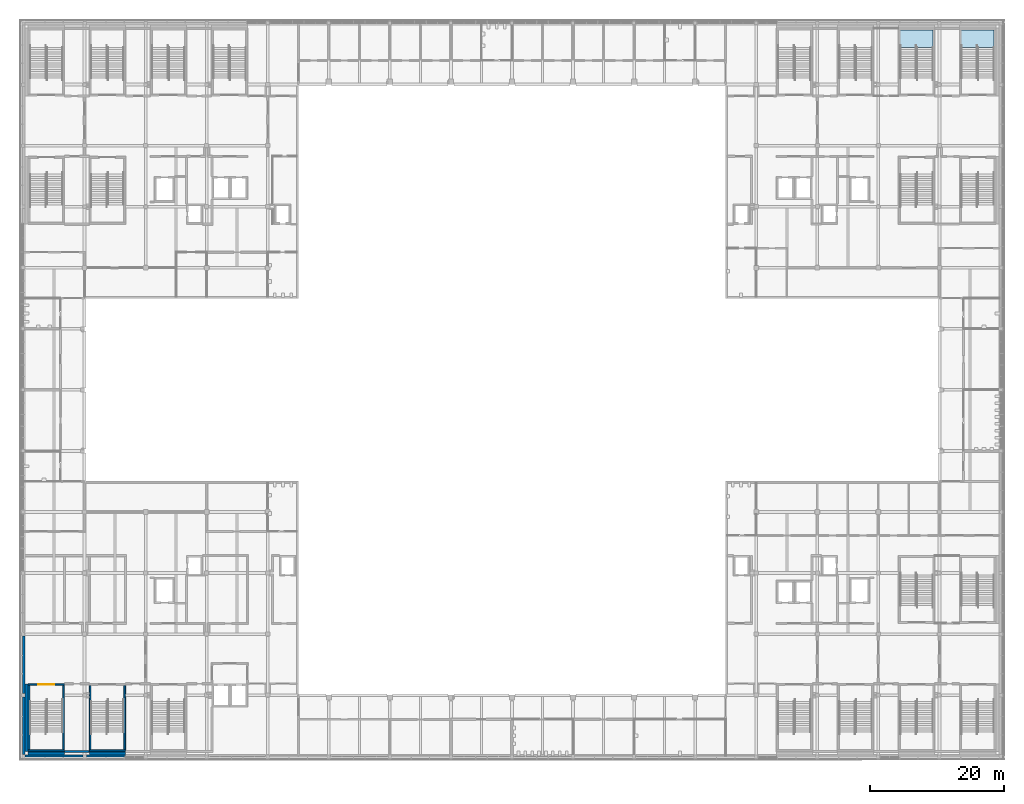
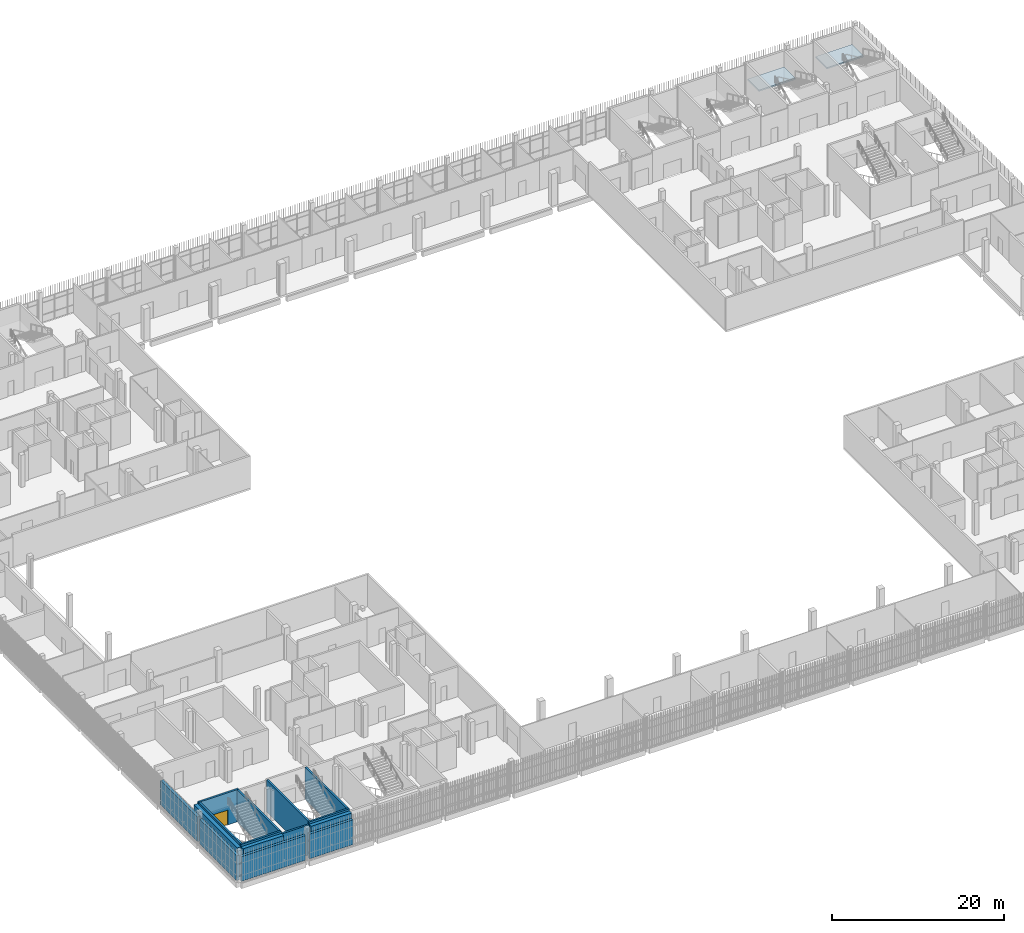
# One storey, part 65 of 124: 15 walls, 2 slabs, 1 door, 1 opening, 2 elements without a shape of their own.
"""IFC4 building model written with IfcOpenShell, lengths in metres."""

from ifc_helpers import new_model, si_unit, direction, frame, frame_2d, origin, place, context, subcontext, project, spatial, polyline, rectangle, outline, extrude, material, layer, layer_set, type_object, element, fill, aggregate, save


model = new_model("IFC4")

# Units and contexts
model_context = context("Model", 3, precision=1e-05, world=origin(), true_north=direction((0.0, 1.0)))
body_context = subcontext(model_context, "Body", "Model", "MODEL_VIEW")
ifc_project = project(units=[si_unit("LENGTHUNIT", "METRE"), si_unit("AREAUNIT", "SQUARE_METRE"), si_unit("VOLUMEUNIT", "CUBIC_METRE"), si_unit("PLANEANGLEUNIT", "RADIAN"), si_unit("MASSUNIT", "GRAM", prefix="KILO")], contexts=[model_context])

# Site, building, storey
site_placement = place(None, origin())
site = spatial("IfcSite", under=ifc_project, at=site_placement, CompositionType="ELEMENT")
building_placement = place(site_placement, origin())
building = spatial("IfcBuilding", under=site, at=building_placement, Name="Shirokan Park Arena", CompositionType="ELEMENT")
storey_placement = place(building_placement, frame((0.0, 0.0, 20.02001953125)))
storey = spatial("IfcBuildingStorey", under=building, at=storey_placement, Name="L04", CompositionType="ELEMENT", Elevation=20.02001953125)

# Stair, slab
ifc_material_1 = material(Name="Concrete C30 precast", Category="concrete")
stair_type = type_object("IfcStairType", Name="Stair 30 risers 152 x 327 2400 wide", PredefinedType="TWO_STRAIGHT_RUN_STAIR", material=ifc_material_1)
stair_1_placement = place(storey_placement, origin())
stair_1 = element("IfcStair", 1, at=stair_1_placement, inside=storey, type_object=stair_type, Name="Exit Stair 3.A L04 to L05", PredefinedType="TWO_STRAIGHT_RUN_STAIR")
ifc_layer_1 = layer(ifc_material_1, 0.199951171875)
ifc_layer_set_1 = layer_set([ifc_layer_1], Name="Concrete C30 precast 200 mm")
slab_type = type_object("IfcSlabType", Name="Stair landing 200", PredefinedType="LANDING", material=ifc_layer_set_1)
slab_1_placement = place(storey_placement, frame((0.0, 0.0, 2.074951171875)))
slab_1 = element("IfcSlab", 2, at=slab_1_placement, type_object=slab_type, Name="ST16.5 landing 1", PredefinedType="LANDING", context=body_context, shape_type="SweptSolid", body=[
    extrude(outline(polyline([(139.75, 105.623779296875), (144.64990234375, 105.623779296875), (144.64990234375, 108.25), (139.75, 108.25), (139.75, 105.623779296875)])), origin(), (0.0, 0.0, 1.0), 0.199951171875),
])
aggregate(stair_1, [slab_1])

stair_2_placement = place(storey_placement, origin())
stair_2 = element("IfcStair", 3, at=stair_2_placement, inside=storey, type_object=stair_type, Name="Exit Stair 3.B L04 to L05", PredefinedType="TWO_STRAIGHT_RUN_STAIR")
slab_2_placement = place(storey_placement, frame((0.0, 0.0, 2.074951171875)))
slab_2 = element("IfcSlab", 4, at=slab_2_placement, type_object=slab_type, Name="ST17.5 landing 1", PredefinedType="LANDING", context=body_context, shape_type="SweptSolid", body=[
    extrude(outline(polyline([(130.64990234375, 105.623779296875), (135.550048828125, 105.623779296875), (135.550048828125, 108.25), (130.64990234375, 108.25), (130.64990234375, 105.623779296875)])), origin(), (0.0, 0.0, 1.0), 0.199951171875),
])
aggregate(stair_2, [slab_2])

# Walls
ifc_material_2 = material(Name="Plaster")
ifc_layer_2 = layer(ifc_material_2, 0.014892578125, Name="Plaster")
ifc_material_3 = material(Name="Concrete blockwork", Category="masonry")
ifc_layer_3 = layer(ifc_material_3, 0.219970703125, Name="Concrete blockwork 220")
ifc_layer_4 = layer(ifc_material_2, 0.014892578125, Name="Plaster")
ifc_layer_set_2 = layer_set([ifc_layer_2, ifc_layer_3, ifc_layer_4], Name="Plaster + Concrete blockwork 220")
wall_type_1 = type_object("IfcWallType", Name="Compartment wall 250", PredefinedType="SOLIDWALL", material=ifc_layer_set_2)
wall_1_placement = place(storey_placement, frame((9.77001953125, 0.699951171875, 0.0), z_axis=(0.0, 0.0, 1.0), x_axis=(-1.0, 0.0, 0.0)))
element("IfcWall", 5, at=wall_1_placement, inside=storey, type_object=wall_type_1, Name="Compartment wall 250 L04", PredefinedType="SOLIDWALL", context=body_context, shape_type="SweptSolid", body=[
    extrude(rectangle(XDim=3.64013671875, YDim=0.25, at=frame_2d((1.820068359375, 0.0))), origin(), (0.0, 0.0, 1.0), 4.25),
])
ifc_material_4 = material(Name="Cedar cladding")
ifc_layer_5 = layer(ifc_material_4, 0.030029296875, Name="Cedar cladding")
ifc_material_5 = material(Name="Mineral wool insulation")
ifc_layer_6 = layer(ifc_material_5, 0.10009765625, Name="Mineral wool insulation")
ifc_material_6 = material(Name="Concrete C35", Category="concrete")
ifc_layer_7 = layer(ifc_material_6, 0.199951171875, Name="Concrete C35")
ifc_material_7 = material(Name="Gypsum board lining")
ifc_layer_8 = layer(ifc_material_7, 0.02001953125, Name="Gypsum board lining")
ifc_layer_set_3 = layer_set([ifc_layer_5, ifc_layer_6, ifc_layer_7, ifc_layer_8], Name="Cedar cladding + Mineral wool insulation + Concrete C35 + Gypsum board lining")
wall_type_2 = type_object("IfcWallType", Name="Insulated tower wall 350", PredefinedType="SOLIDWALL", material=ifc_layer_set_3)
wall_2_placement = place(storey_placement, frame((0.25, 0.02490234375, 0.0), z_axis=(0.0, 0.0, 1.0), x_axis=(1.0, 0.0, 0.0)))
element("IfcWall", 6, at=wall_2_placement, inside=storey, type_object=wall_type_2, Name="South facade wall bay 1 L04", PredefinedType="SOLIDWALL", context=body_context, shape_type="SweptSolid", body=[
    extrude(rectangle(XDim=8.60009765625, YDim=0.35009765625, at=frame_2d((4.300048828125, 0.0))), origin(), (0.0, 0.0, 1.0), 3.5),
])
wall_3_placement = place(storey_placement, frame((9.35009765625, 0.02490234375, 0.0), z_axis=(0.0, 0.0, 1.0), x_axis=(1.0, 0.0, 0.0)))
element("IfcWall", 7, at=wall_3_placement, inside=storey, type_object=wall_type_2, Name="South facade wall bay 2 L04", PredefinedType="SOLIDWALL", context=body_context, shape_type="SweptSolid", body=[
    extrude(rectangle(XDim=5.849853515625, YDim=0.35009765625, at=frame_2d((2.9248046875, 0.0))), origin(), (0.0, 0.0, 1.0), 3.5),
])
wall_4_placement = place(storey_placement, frame((0.02490234375, 17.925048828125, 0.0), z_axis=(0.0, 0.0, 1.0), x_axis=(0.0, -1.0, 0.0)))
element("IfcWall", 8, at=wall_4_placement, inside=storey, type_object=wall_type_2, Name="West facade wall bay 11 L04", PredefinedType="SOLIDWALL", context=body_context, shape_type="SweptSolid", body=[
    extrude(rectangle(XDim=8.574951171875, YDim=0.35009765625, at=frame_2d((4.28759765625, 0.0))), origin(), (0.0, 0.0, 1.0), 3.5),
])
wall_5_placement = place(storey_placement, frame((0.02490234375, 8.85009765625, 0.0), z_axis=(0.0, 0.0, 1.0), x_axis=(0.0, -1.0, 0.0)))
element("IfcWall", 9, at=wall_5_placement, inside=storey, type_object=wall_type_2, Name="West facade wall bay 12 L04", PredefinedType="SOLIDWALL", context=body_context, shape_type="SweptSolid", body=[
    extrude(rectangle(XDim=8.60009765625, YDim=0.35009765625, at=frame_2d((4.300048828125, 0.0))), origin(), (0.0, 0.0, 1.0), 3.5),
])
ifc_material_8 = material(Name="Concrete C40/50", Category="concrete")
ifc_layer_9 = layer(ifc_material_8, 0.25)
ifc_layer_set_4 = layer_set([ifc_layer_9], Name="Concrete C40/50 250 mm")
wall_type_3 = type_object("IfcWallType", Name="RC shear wall 250", PredefinedType="SHEAR", material=ifc_layer_set_4)
wall_6_placement = place(storey_placement, frame((6.10009765625, 0.824951171875, 0.0), z_axis=(0.0, 0.0, 1.0), x_axis=(-1.0, 0.0, 0.0)))
element("IfcWall", 10, at=wall_6_placement, inside=storey, type_object=wall_type_3, Name="Shaft wall Exit Stair 1.A S L04", PredefinedType="SHEAR", context=body_context, shape_type="SweptSolid", body=[
    extrude(rectangle(XDim=5.400146484375, YDim=0.25, at=frame_2d((2.7001953125, 0.0))), origin(), (0.0, 0.0, 1.0), 4.550048828125),
])

# Wall, opening, door
wall_7_placement = place(storey_placement, frame((6.10009765625, 10.675048828125, 0.0), z_axis=(0.0, 0.0, 1.0), x_axis=(-1.0, 0.0, 0.0)))
wall_7 = element("IfcWall", 11, at=wall_7_placement, inside=storey, type_object=wall_type_3, Name="Shaft wall Exit Stair 1.A N L04", PredefinedType="SHEAR", context=body_context, shape_type="SweptSolid", body=[
    extrude(rectangle(XDim=5.400146484375, YDim=0.25, at=frame_2d((2.7001953125, 0.0))), origin(), (0.0, 0.0, 1.0), 4.550048828125),
])
opening_placement = place(wall_7_placement, frame((1.5, 0.0, 0.0)))
opening = element("IfcOpeningElement", 12, at=opening_placement, cuts=wall_7, Name="Opening D-4127", PredefinedType="OPENING", context=body_context, shape_type="SweptSolid", body=[
    extrude(rectangle(XDim=2.39990234375, YDim=2.10009765625, at=frame_2d((1.199951171875, 1.050048828125))), frame((0.0, 0.135009765625, 0.0), z_axis=(0.0, -1.0, 0.0), x_axis=(1.0, 0.0, 0.0)), (0.0, 0.0, 1.0), 0.27001953125),
])
ifc_material_9 = material(Name="Steel door set, fire resisting", Category="steel")
door_type = type_object("IfcDoorType", Name="Stair door 2400 x 2100", OperationType="DOUBLE_DOOR_SINGLE_SWING", PredefinedType="DOOR", material=ifc_material_9)
door_placement = place(opening_placement, origin())
door = element("IfcDoor", 13, at=door_placement, inside=storey, type_object=door_type, Name="Stair door Exit Stair 1.A D-4127", OperationType="DOUBLE_DOOR_SINGLE_SWING", OverallHeight=2.10009765625, OverallWidth=2.39990234375, PredefinedType="DOOR", context=body_context, shape_type="SweptSolid", body=[
    extrude(rectangle(XDim=2.39990234375, YDim=2.10009765625, at=frame_2d((1.199951171875, 1.050048828125))), frame((0.0, 0.02490234375, 0.0), z_axis=(0.0, -1.0, 0.0), x_axis=(1.0, 0.0, 0.0)), (0.0, 0.0, 1.0), 0.050048828125),
])
fill(opening, door)

# Walls
for number, where, z_axis, x_axis, name in (
    (14, (0.824951171875, 10.550048828125, 0.0), (0.0, 0.0, 1.0), (0.0, -1.0, 0.0), "Shaft wall Exit Stair 1.A W L04"),
    (15, (5.97509765625, 10.550048828125, 0.0), (0.0, 0.0, 1.0), (0.0, -1.0, 0.0), "Shaft wall Exit Stair 1.A E L04"),
):
    element("IfcWall", number, at=place(storey_placement, frame(where, z_axis=z_axis, x_axis=x_axis)), inside=storey, type_object=wall_type_3, Name=name, PredefinedType="SHEAR", context=body_context, shape_type="SweptSolid", body=[
        extrude(rectangle(XDim=9.60009765625, YDim=0.25, at=frame_2d((4.800048828125, 0.0))), origin(), (0.0, 0.0, 1.0), 4.550048828125),
    ])
wall_8_placement = place(storey_placement, frame((15.199951171875, 0.824951171875, 0.0), z_axis=(0.0, 0.0, 1.0), x_axis=(-1.0, 0.0, 0.0)))
element("IfcWall", 16, at=wall_8_placement, inside=storey, type_object=wall_type_3, Name="Shaft wall Exit Stair 1.B S L04", PredefinedType="SHEAR", context=body_context, shape_type="SweptSolid", body=[
    extrude(rectangle(XDim=5.39990234375, YDim=0.25, at=frame_2d((2.699951171875, 0.0))), origin(), (0.0, 0.0, 1.0), 4.550048828125),
])
for number, where, z_axis, x_axis, name in (
    (17, (9.925048828125, 10.550048828125, 0.0), (0.0, 0.0, 1.0), (0.0, -1.0, 0.0), "Shaft wall Exit Stair 1.B W L04"),
    (18, (15.074951171875, 10.550048828125, 0.0), (0.0, 0.0, 1.0), (0.0, -1.0, 0.0), "Shaft wall Exit Stair 1.B E L04"),
):
    element("IfcWall", number, at=place(storey_placement, frame(where, z_axis=z_axis, x_axis=x_axis)), inside=storey, type_object=wall_type_3, Name=name, PredefinedType="SHEAR", context=body_context, shape_type="SweptSolid", body=[
        extrude(rectangle(XDim=9.60009765625, YDim=0.25, at=frame_2d((4.800048828125, 0.0))), origin(), (0.0, 0.0, 1.0), 4.550048828125),
    ])
ifc_layer_10 = layer(ifc_material_6, 0.5)
ifc_layer_set_5 = layer_set([ifc_layer_10], Name="Concrete C35 500 mm")
wall_type_4 = type_object("IfcWallType", Name="Shaft infill wall 500", PredefinedType="SOLIDWALL", material=ifc_layer_set_5)
wall_9_placement = place(storey_placement, frame((0.699951171875, 0.449951171875, 0.0), z_axis=(0.0, 0.0, 1.0), x_axis=(1.0, 0.0, 0.0)))
element("IfcWall", 19, at=wall_9_placement, inside=storey, type_object=wall_type_4, Name="Shaft infill wall L04", PredefinedType="SOLIDWALL", context=body_context, shape_type="SweptSolid", body=[
    extrude(rectangle(XDim=5.400146484375, YDim=0.5, at=frame_2d((2.7001953125, 0.0))), origin(), (0.0, 0.0, 1.0), 4.25),
])
wall_10_placement = place(storey_placement, frame((0.449951171875, 0.699951171875, 0.0), z_axis=(0.0, 0.0, 1.0), x_axis=(0.0, 1.0, 0.0)))
element("IfcWall", 20, at=wall_10_placement, inside=storey, type_object=wall_type_4, Name="Shaft infill wall L04", PredefinedType="SOLIDWALL", context=body_context, shape_type="SweptSolid", body=[
    extrude(rectangle(XDim=10.10009765625, YDim=0.5, at=frame_2d((5.050048828125, 0.0))), origin(), (0.0, 0.0, 1.0), 4.25),
])
wall_11_placement = place(storey_placement, frame((9.800048828125, 0.449951171875, 0.0), z_axis=(0.0, 0.0, 1.0), x_axis=(1.0, 0.0, 0.0)))
element("IfcWall", 21, at=wall_11_placement, inside=storey, type_object=wall_type_4, Name="Shaft infill wall L04", PredefinedType="SOLIDWALL", context=body_context, shape_type="SweptSolid", body=[
    extrude(rectangle(XDim=5.39990234375, YDim=0.5, at=frame_2d((2.699951171875, 0.0))), origin(), (0.0, 0.0, 1.0), 4.25),
])

save(model, "model.ifc")
